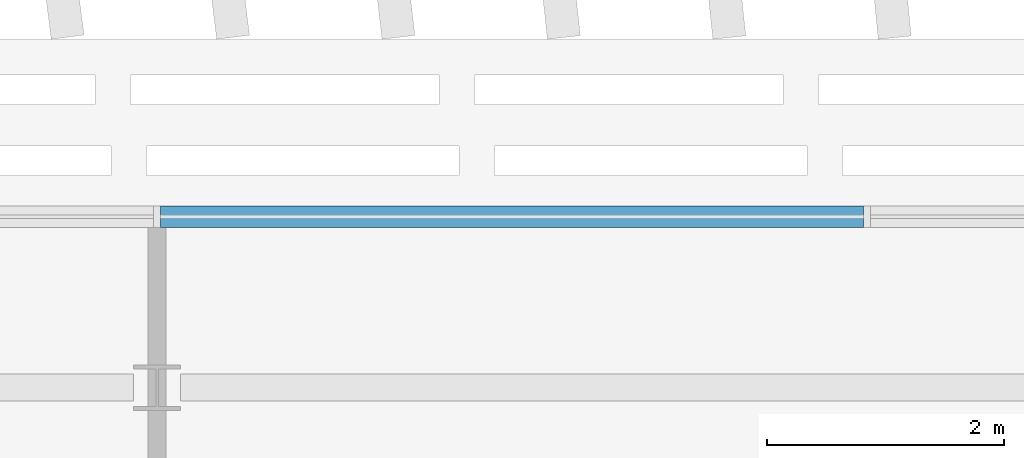
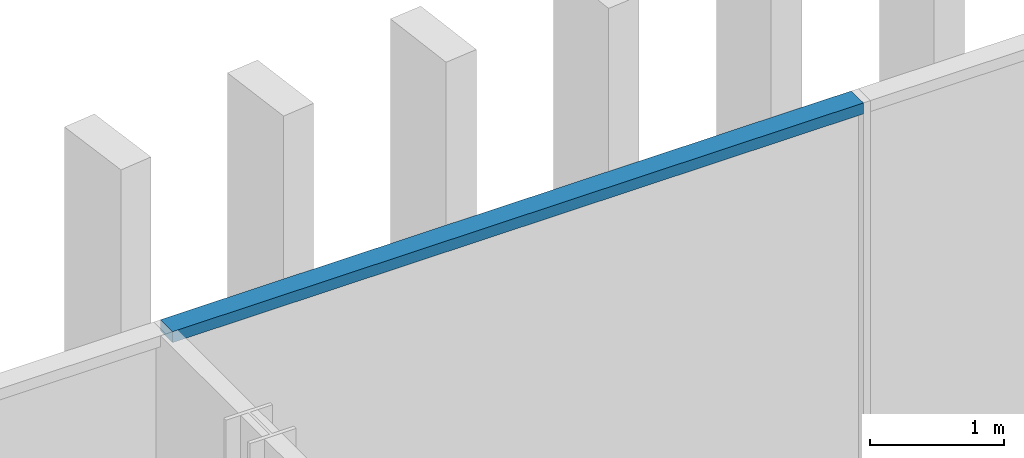
# One storey, part 11 of 32: 1 member, 1 element without a shape of its own.
"""IFC4 building model written with IfcOpenShell, lengths in metres."""

import ifcopenshell
import ifcopenshell.guid

model = None  # the IFC model being written
_history = None  # IfcOwnerHistory: only IFC2X3 demands one
_inside = {}  # id of a spatial element -> (the spatial element, [elements in it])
_under = {}  # id of a project, library or spatial element -> (it, [spatial elements below it])
_declared = {}  # id of a project -> (the project, [libraries it declares])
_typed = {}  # id of a type object -> (the type object, [elements of that type])
_made_of = {}  # id of a material, layer set ... -> (it, [elements and type objects made of it])


def new_model(schema):
    """Start an empty IFC model of exactly this schema.

    Asked for "IFC4X3", IfcOpenShell would pick the latest addendum, in which some entities
    have other attributes; the version numbers below select the first issue.
    IFC2X3 requires an IfcOwnerHistory on every rooted entity: one is made here for all.
    """
    global model, _history
    if schema == "IFC4X3":
        model = ifcopenshell.file(schema_version=(4, 3, 0, 0))
    else:
        model = ifcopenshell.file(schema=schema)
    _inside.clear()
    _under.clear()
    _declared.clear()
    _typed.clear()
    _made_of.clear()
    _history = None
    if model.schema == "IFC2X3":
        org = make("IfcOrganization", Name="unknown")
        user = make(
            "IfcPersonAndOrganization",
            ThePerson=make("IfcPerson", FamilyName="unknown"),
            TheOrganization=org,
        )
        app = make(
            "IfcApplication",
            ApplicationDeveloper=org,
            Version="unknown",
            ApplicationFullName="unknown",
            ApplicationIdentifier="unknown",
        )
        _history = make(
            "IfcOwnerHistory",
            OwningUser=user,
            OwningApplication=app,
            ChangeAction="ADDED",
            CreationDate=0,
        )
    return model


def make(cls, **values):
    """One entity of the class cls with the attributes given. An attribute that is None is left unset."""
    return model.create_entity(
        cls, **{name: value for name, value in values.items() if value is not None}
    )


def rooted(cls, **values):
    """An entity with a GlobalId (a new one), such as an element, a storey or a relation."""
    return make(cls, GlobalId=ifcopenshell.guid.new(), OwnerHistory=_history, **values)


def si_unit(unit_type, name, prefix=None):
    """IfcSIUnit, for example si_unit("LENGTHUNIT", "METRE", prefix="MILLI")."""
    return make("IfcSIUnit", UnitType=unit_type, Prefix=prefix, Name=name)


def assignment(units):
    """IfcUnitAssignment: the units of a project."""
    return None if units is None else make("IfcUnitAssignment", Units=units)


def point(xyz):
    """IfcCartesianPoint."""
    return None if xyz is None else make("IfcCartesianPoint", Coordinates=xyz)


def direction(xyz):
    """IfcDirection."""
    return None if xyz is None else make("IfcDirection", DirectionRatios=xyz)


def frame(location, z_axis=None, x_axis=None):
    """IfcAxis2Placement3D, a coordinate frame: its origin and axes. An axis left out is left unset."""
    return make(
        "IfcAxis2Placement3D",
        Location=point(location),
        Axis=direction(z_axis),
        RefDirection=direction(x_axis),
    )


def frame_2d(location, x_axis=None):
    """IfcAxis2Placement2D, a coordinate frame in the plane: its origin and x axis."""
    return make(
        "IfcAxis2Placement2D", Location=point(location), RefDirection=direction(x_axis)
    )


def origin():
    """The frame at (0, 0, 0) with its axes left unset."""
    return frame((0.0, 0.0, 0.0))


def origin_2d():
    """The frame at (0, 0) in the plane with its x axis left unset."""
    return frame_2d((0.0, 0.0))


def place(relative_to, where):
    """IfcLocalPlacement: puts the frame where relative to a parent placement (None: the world)."""
    return make(
        "IfcLocalPlacement", PlacementRelTo=relative_to, RelativePlacement=where
    )


def context(
    kind, dimensions, precision=None, world=None, true_north=None, identifier=None
):
    """IfcGeometricRepresentationContext, for example the 3D "Model" context."""
    return make(
        "IfcGeometricRepresentationContext",
        ContextIdentifier=identifier,
        ContextType=kind,
        CoordinateSpaceDimension=dimensions,
        Precision=precision,
        WorldCoordinateSystem=world,
        TrueNorth=true_north,
    )


def subcontext(parent, identifier, kind, view, scale=None):
    """IfcGeometricRepresentationSubContext, for example "Body" below "Model"."""
    return make(
        "IfcGeometricRepresentationSubContext",
        ContextIdentifier=identifier,
        ContextType=kind,
        ParentContext=parent,
        TargetScale=scale,
        TargetView=view,
    )


def project(units=None, contexts=None):
    """IfcProject with its units and contexts."""
    return rooted(
        "IfcProject",
        Name="project",
        RepresentationContexts=contexts,
        UnitsInContext=assignment(units),
    )


def spatial(cls, under=None, at=None, **own):
    """A site, building, storey or space (cls), placed at a placement, below another one or the project."""
    s = rooted(cls, ObjectPlacement=at, **own)
    if under is not None:
        _under.setdefault(under.id(), (under, []))[1].append(s)
    return s


def profile(cls, at=None, kind="AREA", **sizes):
    """A parametric profile (cls). Its sizes go by their IFC names, for example OverallWidth=200.0."""
    return make(cls, ProfileType=kind, Position=at, **sizes)


def rectangle(**sizes):
    """IfcRectangleProfileDef."""
    return profile("IfcRectangleProfileDef", **sizes)


def extrude(swept, where, along, depth):
    """IfcExtrudedAreaSolid: the profile swept, set in the frame where, extruded along a direction by depth."""
    return make(
        "IfcExtrudedAreaSolid",
        SweptArea=swept,
        Position=where,
        ExtrudedDirection=direction(along),
        Depth=depth,
    )


def shape(context_of_items, identifier, shape_type, items):
    """IfcShapeRepresentation: the items that make up one representation, for example the "Body"."""
    return make(
        "IfcShapeRepresentation",
        ContextOfItems=context_of_items,
        RepresentationIdentifier=identifier,
        RepresentationType=shape_type,
        Items=items,
    )


def material(Name=None, Category=None):
    """IfcMaterial."""
    return make("IfcMaterial", Name=Name, Category=Category)


def material_profile(
    of_material, cross_section, Name=None, Category=None, Priority=None
):
    """IfcMaterialProfile: a cross section and its material."""
    return make(
        "IfcMaterialProfile",
        Name=Name,
        Material=of_material,
        Profile=cross_section,
        Priority=Priority,
        Category=Category,
    )


def profile_set(profiles, Name=None, composite=None):
    """IfcMaterialProfileSet."""
    return make(
        "IfcMaterialProfileSet",
        Name=Name,
        MaterialProfiles=profiles,
        CompositeProfile=composite,
    )


def made_of(thing, what):
    """Note that an element or type object is made of a material, layer set ...; save() writes the relation."""
    if what is not None:
        _made_of.setdefault(what.id(), (what, []))[1].append(thing)
    return thing


def type_object(cls, material=None, **own):
    """A type object (cls), such as IfcWallType, which elements share."""
    return made_of(rooted(cls, **own), material)


def element(
    cls,
    number,
    at=None,
    inside=None,
    cuts=None,
    type_object=None,
    material=None,
    context=None,
    identifier="Body",
    shape_type=None,
    held_by="IfcProductDefinitionShape",
    body=None,
    shapes=None,
    **own,
):
    """One element of the class cls, such as IfcWall. Its Tag is "e" and its number.

    at: its placement. inside: the storey or other place that contains it. cuts: it is an
    opening in that element (IfcRelVoidsElement). A single representation is given by context,
    identifier, shape_type and body (its items); several are given by shapes. held_by: the class
    of the entity that holds the representations. save() writes the other relations.
    """
    e = rooted(cls, Tag="e%d" % number, ObjectPlacement=at, **own)
    if body is not None:
        shapes = [shape(context, identifier, shape_type, body)]
    if shapes is not None:
        e.Representation = make(held_by, Representations=shapes)
    if inside is not None:
        _inside.setdefault(inside.id(), (inside, []))[1].append(e)
    if cuts is not None:
        rooted(
            "IfcRelVoidsElement", RelatingBuildingElement=cuts, RelatedOpeningElement=e
        )
    if type_object is not None:
        _typed.setdefault(type_object.id(), (type_object, []))[1].append(e)
    return made_of(e, material)


def aggregate(whole, parts):
    """IfcRelAggregates: a whole, such as a stair, and the parts it consists of."""
    return rooted("IfcRelAggregates", RelatingObject=whole, RelatedObjects=parts)


def save(model, path):
    """Write the relations noted so far, then the file.

    IfcRelAggregates (storeys below a building ...), IfcRelContainedInSpatialStructure (elements
    in a storey), IfcRelDefinesByType, IfcRelAssociatesMaterial and IfcRelDeclares: one each for
    every whole, place, type object, material and project.
    """
    for whole, parts in _under.values():
        aggregate(whole, parts)
    for where, things in _inside.values():
        rooted(
            "IfcRelContainedInSpatialStructure",
            RelatedElements=things,
            RelatingStructure=where,
        )
    for kind, things in _typed.values():
        rooted("IfcRelDefinesByType", RelatedObjects=things, RelatingType=kind)
    for what, things in _made_of.values():
        rooted("IfcRelAssociatesMaterial", RelatedObjects=things, RelatingMaterial=what)
    for by, libraries in _declared.values():
        rooted("IfcRelDeclares", RelatingContext=by, RelatedDefinitions=libraries)
    model.write(path)


model = new_model("IFC4")

# Units and contexts
model_context = context("Model", 3, precision=1e-05, world=origin(), true_north=direction((0.0, 1.0)))
body_context = subcontext(model_context, "Body", "Model", "MODEL_VIEW")
ifc_project = project(units=[si_unit("LENGTHUNIT", "METRE"), si_unit("AREAUNIT", "SQUARE_METRE"), si_unit("VOLUMEUNIT", "CUBIC_METRE"), si_unit("PLANEANGLEUNIT", "RADIAN"), si_unit("MASSUNIT", "GRAM", prefix="KILO")], contexts=[model_context])

# Site, building, storey
site_placement = place(None, origin())
site = spatial("IfcSite", under=ifc_project, at=site_placement, CompositionType="ELEMENT")
building_placement = place(site_placement, origin())
building = spatial("IfcBuilding", under=site, at=building_placement, Name="Mahtab Terrace Research Tower", CompositionType="ELEMENT")
storey_placement = place(building_placement, frame((0.0, 0.0, 240.0)))
storey = spatial("IfcBuildingStorey", under=building, at=storey_placement, Name="L58", CompositionType="ELEMENT", Elevation=240.0)

# Curtain wall, member
ifc_material_1 = material(Name="Office ribbon curtain wall")
curtain_wall_type = type_object("IfcCurtainWallType", Name="Office ribbon curtain wall", PredefinedType="NOTDEFINED", material=ifc_material_1)
curtain_wall_placement = place(storey_placement, origin())
curtain_wall = element("IfcCurtainWall", 1, at=curtain_wall_placement, inside=storey, type_object=curtain_wall_type, Name="EN.L58.3.3", PredefinedType="NOTDEFINED")
ifc_material_2 = material(Name="Natural anodised aluminium", Category="aluminium")
ifc_material_profile = material_profile(ifc_material_2, rectangle(XDim=0.179931640625, YDim=0.10009765625, at=origin_2d()), Name="TRANSOM 100x180")
ifc_profile_set = profile_set([ifc_material_profile], Name="Natural anodised aluminium")
member_type = type_object("IfcMemberType", Name="Office ribbon curtain wall transom", PredefinedType="USERDEFINED", material=ifc_profile_set)
member_placement = place(storey_placement, frame((23.969970703125, 27.9169921875, 3.409912109375), z_axis=(-1.0, 0.0, 0.0), x_axis=(0.0, -1.0, 0.0)))
member = element("IfcMember", 2, at=member_placement, type_object=member_type, Name="CWO-7 transom 5", ObjectType="TRANSOM", PredefinedType="USERDEFINED", context=body_context, shape_type="SweptSolid", body=[
    extrude(rectangle(XDim=0.179931640625, YDim=0.10009765625, at=origin_2d()), origin(), (0.0, 0.0, 1.0), 5.93994140625),
])
aggregate(curtain_wall, [member])

save(model, "model.ifc")
